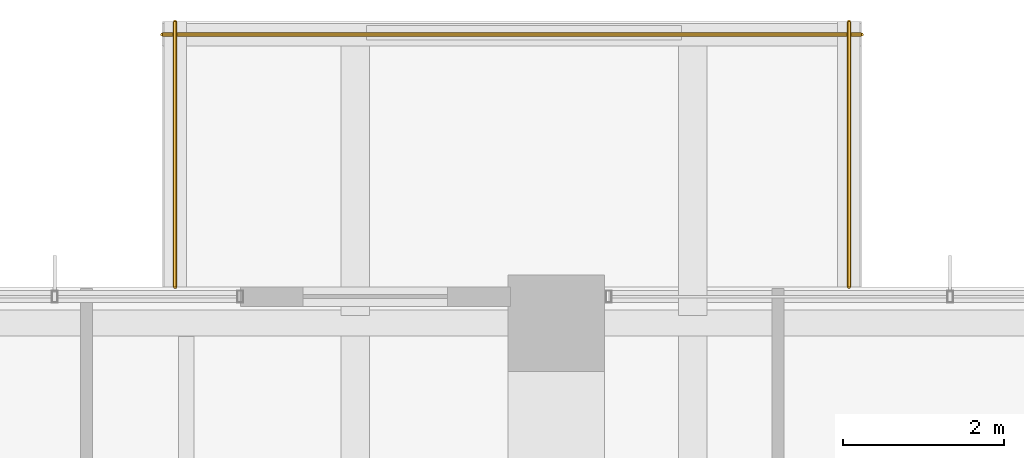
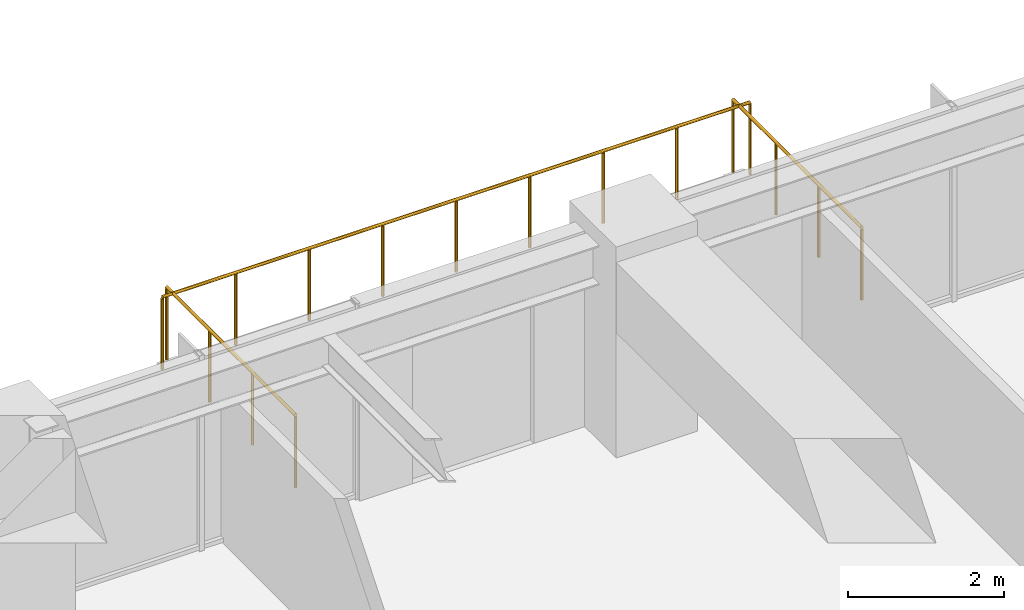
# One storey, part 39 of 39: 3 railings.
"""IFC4 building model written with IfcOpenShell, lengths in metres."""

from ifc_helpers import new_model, si_unit, direction, frame, origin, origin_2d, place, context, subcontext, project, spatial, circle, extrude, material, type_object, element, save


model = new_model("IFC4")

# Units and contexts
model_context = context("Model", 3, precision=1e-05, world=origin(), true_north=direction((0.0, 1.0)))
body_context = subcontext(model_context, "Body", "Model", "MODEL_VIEW")
ifc_project = project(units=[si_unit("LENGTHUNIT", "METRE"), si_unit("AREAUNIT", "SQUARE_METRE"), si_unit("VOLUMEUNIT", "CUBIC_METRE"), si_unit("PLANEANGLEUNIT", "RADIAN"), si_unit("MASSUNIT", "GRAM", prefix="KILO")], contexts=[model_context])

# Site, building, storey
site_placement = place(None, origin())
site = spatial("IfcSite", under=ifc_project, at=site_placement, CompositionType="ELEMENT")
building_placement = place(site_placement, origin())
building = spatial("IfcBuilding", under=site, at=building_placement, Name="Kolvaren Belvedere", CompositionType="ELEMENT")
storey_placement = place(building_placement, frame((0.0, 0.0, 33.699951171875)))
storey = spatial("IfcBuildingStorey", under=building, at=storey_placement, Name="L09", CompositionType="ELEMENT", Elevation=33.699951171875)

# Railings
ifc_material = material(Name="Anodised pale-metal aluminium & laminated glass guard", Category="aluminium")
railing_type = type_object("IfcRailingType", Name="RL-GUARD-1150", PredefinedType="GUARDRAIL", material=ifc_material)
railing_1_placement = place(storey_placement, frame((8.239990234375, 22.0, 0.360107421875)))
element("IfcRailing", 1, at=railing_1_placement, inside=storey, type_object=railing_type, Name="L09 Exterior Deck Safety Guard SPIRAL-01-N-2", PredefinedType="GUARDRAIL", context=body_context, shape_type="SweptSolid", body=[
    extrude(circle(Radius=0.02392578125, at=origin_2d()), frame((0.0, 0.0, 1.1259765625), z_axis=(0.0, 1.0, 0.0), x_axis=(-1.0, 0.0, 0.0)), (0.0, 0.0, 1.0), 3.300048828125),
    extrude(circle(Radius=0.02099609375, at=origin_2d()), origin(), (0.0, 0.0, 1.0), 1.101806640625),
    extrude(circle(Radius=0.02099609375, at=origin_2d()), frame((0.0, 1.10009765625, 0.0)), (0.0, 0.0, 1.0), 1.101806640625),
    extrude(circle(Radius=0.02099609375, at=origin_2d()), frame((0.0, 2.199951171875, 0.0)), (0.0, 0.0, 1.0), 1.101806640625),
    extrude(circle(Radius=0.02099609375, at=origin_2d()), frame((0.0, 3.300048828125, 0.0)), (0.0, 0.0, 1.0), 1.101806640625),
])
railing_2_placement = place(storey_placement, frame((8.39990234375, 25.139892578125, 0.360107421875)))
element("IfcRailing", 2, at=railing_2_placement, inside=storey, type_object=railing_type, Name="L09 Exterior Deck Safety Guard SPIRAL-01-N-3", PredefinedType="GUARDRAIL", context=body_context, shape_type="SweptSolid", body=[
    extrude(circle(Radius=0.02392578125, at=origin_2d()), frame((0.0, 0.0, 1.1259765625), z_axis=(-1.0, 0.0, 0.0), x_axis=(0.0, -1.0, 0.0)), (0.0, 0.0, 1.0), 8.699951171875),
    extrude(circle(Radius=0.02099609375, at=origin_2d()), origin(), (0.0, 0.0, 1.0), 1.101806640625),
    extrude(circle(Radius=0.02099609375, at=origin_2d()), frame((-1.08740234375, 0.0, 0.0)), (0.0, 0.0, 1.0), 1.101806640625),
    extrude(circle(Radius=0.02099609375, at=origin_2d()), frame((-2.175048828125, 0.0, 0.0)), (0.0, 0.0, 1.0), 1.101806640625),
    extrude(circle(Radius=0.02099609375, at=origin_2d()), frame((-3.262451171875, 0.0, 0.0)), (0.0, 0.0, 1.0), 1.101806640625),
    extrude(circle(Radius=0.02099609375, at=origin_2d()), frame((-4.35009765625, 0.0, 0.0)), (0.0, 0.0, 1.0), 1.101806640625),
    extrude(circle(Radius=0.02099609375, at=origin_2d()), frame((-5.4375, 0.0, 0.0)), (0.0, 0.0, 1.0), 1.101806640625),
    extrude(circle(Radius=0.02099609375, at=origin_2d()), frame((-6.52490234375, 0.0, 0.0)), (0.0, 0.0, 1.0), 1.101806640625),
    extrude(circle(Radius=0.02099609375, at=origin_2d()), frame((-7.612548828125, 0.0, 0.0)), (0.0, 0.0, 1.0), 1.101806640625),
    extrude(circle(Radius=0.02099609375, at=origin_2d()), frame((-8.699951171875, 0.0, 0.0)), (0.0, 0.0, 1.0), 1.101806640625),
])
railing_3_placement = place(storey_placement, frame((-0.139892578125, 25.300048828125, 0.360107421875)))
element("IfcRailing", 3, at=railing_3_placement, inside=storey, type_object=railing_type, Name="L09 Exterior Deck Safety Guard SPIRAL-01-N-4", PredefinedType="GUARDRAIL", context=body_context, shape_type="SweptSolid", body=[
    extrude(circle(Radius=0.02392578125, at=origin_2d()), frame((0.0, 0.0, 1.1259765625), z_axis=(0.0, -1.0, 0.0), x_axis=(1.0, 0.0, 0.0)), (0.0, 0.0, 1.0), 3.300048828125),
    extrude(circle(Radius=0.02099609375, at=origin_2d()), origin(), (0.0, 0.0, 1.0), 1.101806640625),
    extrude(circle(Radius=0.02099609375, at=origin_2d()), frame((0.0, -1.10009765625, 0.0)), (0.0, 0.0, 1.0), 1.101806640625),
    extrude(circle(Radius=0.02099609375, at=origin_2d()), frame((0.0, -2.199951171875, 0.0)), (0.0, 0.0, 1.0), 1.101806640625),
    extrude(circle(Radius=0.02099609375, at=origin_2d()), frame((0.0, -3.300048828125, 0.0)), (0.0, 0.0, 1.0), 1.101806640625),
])

save(model, "model.ifc")
